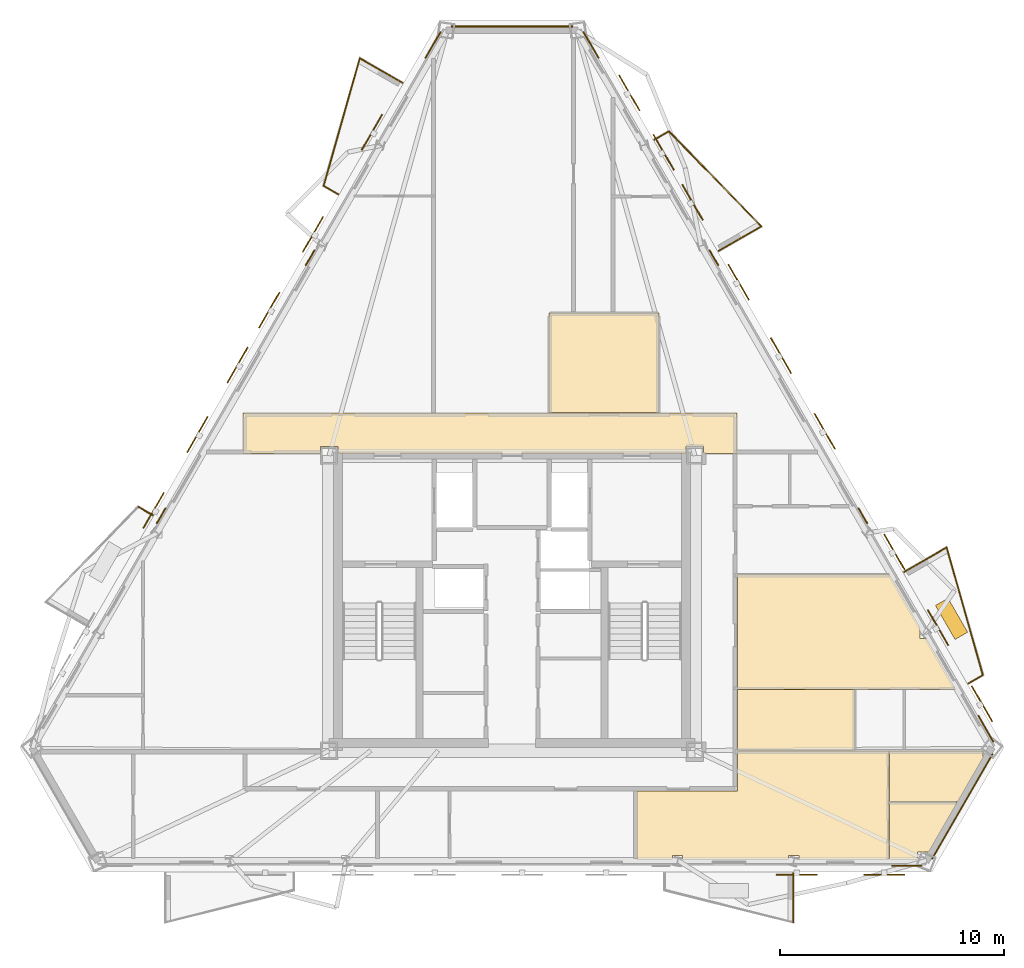
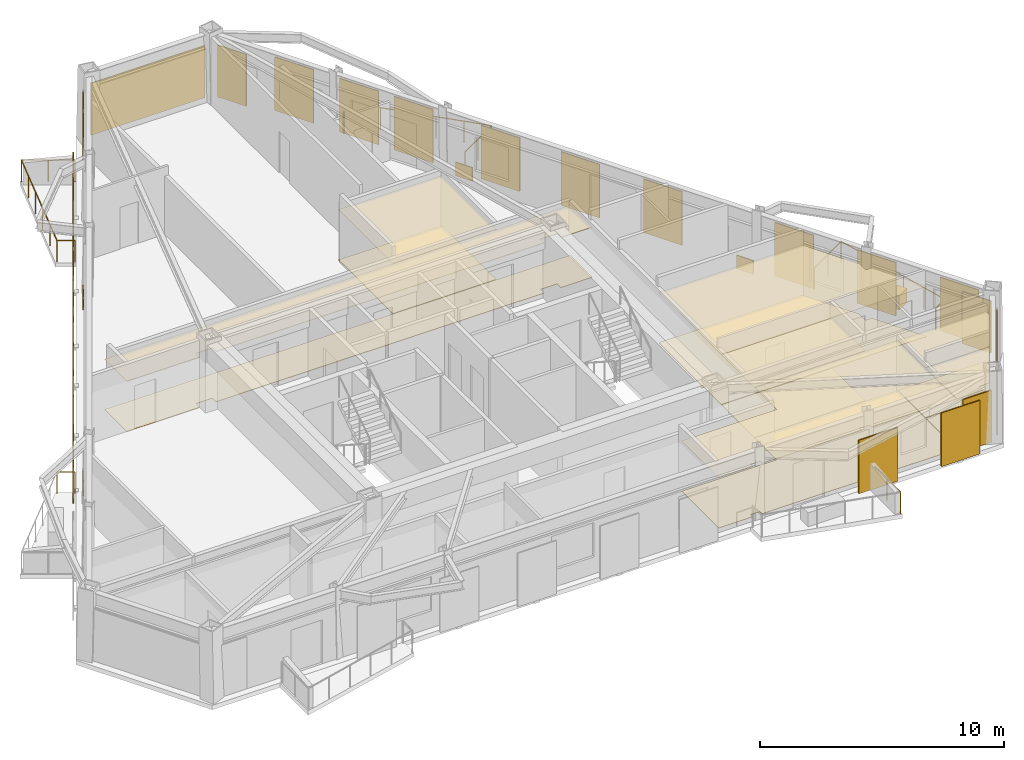
# One storey, part 9 of 9: 25 coverings, 17 shading devices, 11 railings.
"""IFC4 building model written with IfcOpenShell, lengths in metres."""

from ifc_helpers import new_model, si_unit, direction, frame, origin, origin_2d, place, context, subcontext, project, spatial, polyline, rectangle, circle, outline, extrude, material, layer, layer_set, type_object, element, save


model = new_model("IFC4")

# Units and contexts
model_context = context("Model", 3, precision=1e-05, world=origin(), true_north=direction((0.0, 1.0)))
body_context = subcontext(model_context, "Body", "Model", "MODEL_VIEW")
ifc_project = project(units=[si_unit("LENGTHUNIT", "METRE"), si_unit("AREAUNIT", "SQUARE_METRE"), si_unit("VOLUMEUNIT", "CUBIC_METRE"), si_unit("PLANEANGLEUNIT", "RADIAN"), si_unit("MASSUNIT", "GRAM", prefix="KILO")], contexts=[model_context])

# Site, building, storey
site_placement = place(None, origin())
site = spatial("IfcSite", under=ifc_project, at=site_placement, CompositionType="ELEMENT")
building_placement = place(site_placement, origin())
building = spatial("IfcBuilding", under=site, at=building_placement, Name="Oramaril Tower", CompositionType="ELEMENT")
storey_placement = place(building_placement, frame((0.0, 0.0, 237.89990234375)))
storey = spatial("IfcBuildingStorey", under=building, at=storey_placement, Name="L63", CompositionType="ELEMENT", Elevation=237.89990234375)

# Coverings
ifc_material_1 = material(Name="Mineral Fibre Acoustic Ceiling")
ifc_layer_1 = layer(ifc_material_1, 0.02001953125)
ifc_layer_set_1 = layer_set([ifc_layer_1], Name="CVT-CEIL")
covering_type_1 = type_object("IfcCoveringType", Name="CVT-CEIL", PredefinedType="CEILING", material=ifc_layer_set_1)
covering_1_placement = place(storey_placement, frame((0.0, 0.0, 2.51220703125)))
element("IfcCovering", 1, at=covering_1_placement, inside=storey, type_object=covering_type_1, Name="L63 Acoustic Suspended Ceiling 2", PredefinedType="CEILING", context=body_context, shape_type="SweptSolid", body=[
    extrude(outline(polyline([(47.530029296875, 24.239990234375), (46.044921875, 24.239990234375), (46.044921875, 24.544921875), (45.2548828125, 24.544921875), (45.2548828125, 24.25), (29.7451171875, 24.25), (29.7451171875, 24.544921875), (28.955078125, 24.544921875), (28.955078125, 24.239990234375), (25.52001953125, 24.239990234375), (25.52001953125, 26.050048828125), (47.530029296875, 26.050048828125), (47.530029296875, 24.239990234375)])), origin(), (0.0, 0.0, 1.0), 0.019775390625),
])
covering_2_placement = place(storey_placement, frame((0.0, 0.0, 2.51220703125)))
element("IfcCovering", 2, at=covering_2_placement, inside=storey, type_object=covering_type_1, Name="L63 Acoustic Suspended Ceiling 4", PredefinedType="CEILING", context=body_context, shape_type="SweptSolid", body=[
    extrude(outline(polyline([(44.0419921875, 30.511962890625), (44.0419921875, 26.070068359375), (39.157958984375, 26.070068359375), (39.157958984375, 30.511962890625), (44.0419921875, 30.511962890625)])), origin(), (0.0, 0.0, 1.0), 0.019775390625),
])
covering_3_placement = place(storey_placement, frame((0.0, 0.0, 2.51220703125)))
element("IfcCovering", 3, at=covering_3_placement, inside=storey, type_object=covering_type_1, Name="L63 Acoustic Suspended Ceiling 9", PredefinedType="CEILING", context=body_context, shape_type="SweptSolid", body=[
    extrude(outline(polyline([(54.30224609375, 10.991943359375), (54.30224609375, 6.150146484375), (50.282958984375, 6.150146484375), (50.282958984375, 6.324951171875), (49.826416015625, 6.324951171875), (49.826416015625, 6.150146484375), (45.109619140625, 6.150146484375), (45.109619140625, 6.324951171875), (44.660400390625, 6.324951171875), (44.660400390625, 6.150146484375), (43.06201171875, 6.150146484375), (43.06201171875, 9.199951171875), (47.530029296875, 9.199951171875), (47.531982421875, 9.2001953125), (47.533935546875, 9.200439453125), (47.535888671875, 9.200927734375), (47.53759765625, 9.201416015625), (47.539306640625, 9.202392578125), (47.541015625, 9.203369140625), (47.542724609375, 9.20458984375), (47.544189453125, 9.205810546875), (47.54541015625, 9.207275390625), (47.546630859375, 9.208984375), (47.547607421875, 9.210693359375), (47.548583984375, 9.21240234375), (47.549072265625, 9.214111328125), (47.549560546875, 9.216064453125), (47.5498046875, 9.218017578125), (47.550048828125, 9.219970703125), (47.550048828125, 10.991943359375), (54.30224609375, 10.991943359375)])), origin(), (0.0, 0.0, 1.0), 0.019775390625),
])
covering_4_placement = place(storey_placement, frame((0.0, 0.0, 2.51220703125)))
element("IfcCovering", 4, at=covering_4_placement, inside=storey, type_object=covering_type_1, Name="L63 Acoustic Suspended Ceiling 10", PredefinedType="CEILING", context=body_context, shape_type="SweptSolid", body=[
    extrude(outline(polyline([(56.075439453125, 6.4755859375), (55.579833984375, 6.4755859375), (55.579833984375, 6.150146484375), (54.322265625, 6.150146484375), (54.322265625, 8.70947265625), (57.365234375, 8.70947265625), (56.075439453125, 6.4755859375)])), origin(), (0.0, 0.0, 1.0), 0.019775390625),
])
covering_5_placement = place(storey_placement, frame((0.0, 0.0, 2.51220703125)))
element("IfcCovering", 5, at=covering_5_placement, inside=storey, type_object=covering_type_1, Name="L63 Acoustic Suspended Ceiling 11", PredefinedType="CEILING", context=body_context, shape_type="SweptSolid", body=[
    extrude(outline(polyline([(58.4873046875, 10.726806640625), (58.52978515625, 10.726806640625), (57.375244140625, 8.726806640625), (57.374755859375, 8.72705078125), (57.372802734375, 8.727783203125), (57.37109375, 8.728515625), (57.369140625, 8.72900390625), (57.3671875, 8.7294921875), (57.365234375, 8.7294921875), (54.322265625, 8.7294921875), (54.322265625, 10.991943359375), (58.4873046875, 10.991943359375), (58.4873046875, 10.726806640625)])), origin(), (0.0, 0.0, 1.0), 0.019775390625),
])
covering_6_placement = place(storey_placement, frame((0.0, 0.0, 2.51220703125)))
element("IfcCovering", 6, at=covering_6_placement, inside=storey, type_object=covering_type_1, Name="L63 Acoustic Suspended Ceiling 15", PredefinedType="CEILING", context=body_context, shape_type="SweptSolid", body=[
    extrude(outline(polyline([(55.696044921875, 16.4833984375), (55.681884765625, 16.4833984375), (55.681884765625, 15.99755859375), (55.976318359375, 15.99755859375), (57.283203125, 13.73388671875), (47.550048828125, 13.73388671875), (47.550048828125, 18.842041015625), (54.334228515625, 18.842041015625), (55.696044921875, 16.4833984375)])), origin(), (0.0, 0.0, 1.0), 0.019775390625),
])
covering_7_placement = place(storey_placement, frame((0.0, 0.0, 2.51220703125)))
element("IfcCovering", 7, at=covering_7_placement, inside=storey, type_object=covering_type_1, Name="L63 Acoustic Suspended Ceiling 16", PredefinedType="CEILING", context=body_context, shape_type="SweptSolid", body=[
    extrude(outline(polyline([(52.79736328125, 11.011962890625), (47.550048828125, 11.011962890625), (47.550048828125, 11.030029296875), (47.5498046875, 11.031982421875), (47.549560546875, 11.033935546875), (47.549072265625, 11.035888671875), (47.548583984375, 11.03759765625), (47.547607421875, 11.039306640625), (47.54736328125, 11.0400390625), (47.547607421875, 11.04052734375), (47.548583984375, 11.042236328125), (47.549072265625, 11.044189453125), (47.549560546875, 11.046142578125), (47.5498046875, 11.048095703125), (47.550048828125, 11.050048828125), (47.550048828125, 13.714111328125), (52.79736328125, 13.714111328125), (52.79736328125, 11.011962890625)])), origin(), (0.0, 0.0, 1.0), 0.019775390625),
])
ifc_material_2 = material(Name="Warm Cream Limestone", Category="masonry")
ifc_layer_2 = layer(ifc_material_2, 0.050048828125)
ifc_layer_set_2 = layer_set([ifc_layer_2], Name="CVT-CLD")
covering_type_2 = type_object("IfcCoveringType", Name="CVT-CLD", PredefinedType="CLADDING", material=ifc_layer_set_2)
covering_8_placement = place(storey_placement, frame((55.099853515625, 5.874267578125, 0.0400390625), z_axis=(0.0, 0.0, 1.0), x_axis=(1.0, 0.0, 0.0)))
element("IfcCovering", 8, at=covering_8_placement, inside=storey, type_object=covering_type_2, Name="L63 Warm Cream Limestone Cladding", PredefinedType="CLADDING", context=body_context, shape_type="SweptSolid", body=[
    extrude(rectangle(XDim=1.35009765625, YDim=0.050048828125, at=origin_2d()), origin(), (0.0, 0.0, 1.0), 2.596923828125),
])
covering_9_placement = place(storey_placement, frame((57.570068359375, 8.512451171875, 0.0400390625), z_axis=(0.0, 0.0, 1.0), x_axis=(0.500006045986, 0.866021913105, 0.0)))
element("IfcCovering", 9, at=covering_9_placement, inside=storey, type_object=covering_type_2, Name="L63 Warm Cream Limestone Cladding", PredefinedType="CLADDING", context=body_context, shape_type="SweptSolid", body=[
    extrude(rectangle(XDim=5.39892578125, YDim=0.050048828125, at=origin_2d()), origin(), (0.0, 0.0, 1.0), 2.596923828125),
])
for number, where, z_axis, x_axis, name in (
    (10, (58.619873046875, 11.970947265625, 0.0400390625), (0.0, 0.0, 1.0), (-0.500001511499, 0.866024531118, 0.0), "L63 Warm Cream Limestone Cladding"),
    (11, (41.02001953125, 42.454833984375, 0.0400390625), (0.0, 0.0, 1.0), (-0.500001511499, 0.866024531118, 0.0), "L63 Warm Cream Limestone Cladding"),
):
    element("IfcCovering", number, at=place(storey_placement, frame(where, z_axis=z_axis, x_axis=x_axis)), inside=storey, type_object=covering_type_2, Name=name, PredefinedType="CLADDING", context=body_context, shape_type="SweptSolid", body=[
        extrude(rectangle(XDim=1.35009765625, YDim=0.050048828125, at=origin_2d()), origin(), (0.0, 0.0, 1.0), 2.596923828125),
    ])
for number, where, z_axis, x_axis, name in (
    (12, (53.140869140625, 21.460693359375, 0.0400390625), (0.0, 0.0, 1.0), (-0.500001511499, 0.866024531118, 0.0), "L63 Warm Cream Limestone Spandrel Cladding"),
    (13, (46.498779296875, 32.965087890625, 0.0400390625), (0.0, 0.0, 1.0), (-0.500001511499, 0.866024531118, 0.0), "L63 Warm Cream Limestone Spandrel Cladding"),
):
    element("IfcCovering", number, at=place(storey_placement, frame(where, z_axis=z_axis, x_axis=x_axis)), inside=storey, type_object=covering_type_2, Name=name, PredefinedType="CLADDING", context=body_context, shape_type="SweptSolid", body=[
        extrude(rectangle(XDim=0.800048828125, YDim=0.050048828125, at=origin_2d()), origin(), (0.0, 0.0, 1.0), 0.679931640625),
    ])
covering_10_placement = place(storey_placement, frame((37.5, 43.27490234375, 0.0400390625), z_axis=(0.0, 0.0, 1.0), x_axis=(-1.0, 0.0, 0.0)))
element("IfcCovering", 14, at=covering_10_placement, inside=storey, type_object=covering_type_2, Name="L63 Warm Cream Limestone Cladding", PredefinedType="CLADDING", context=body_context, shape_type="SweptSolid", body=[
    extrude(rectangle(XDim=5.398681640625, YDim=0.050048828125, at=origin_2d()), origin(), (0.0, 0.0, 1.0), 2.596923828125),
])
covering_11_placement = place(storey_placement, frame((33.97998046875, 42.454833984375, 0.0400390625), z_axis=(0.0, 0.0, 1.0), x_axis=(-0.500001511499, -0.866024531118, 0.0)))
element("IfcCovering", 15, at=covering_11_placement, inside=storey, type_object=covering_type_2, Name="L63 Warm Cream Limestone Cladding", PredefinedType="CLADDING", context=body_context, shape_type="SweptSolid", body=[
    extrude(rectangle(XDim=1.35009765625, YDim=0.050048828125, at=origin_2d()), origin(), (0.0, 0.0, 1.0), 2.596923828125),
])
for number, where, z_axis, x_axis, name in (
    (16, (28.501220703125, 32.965087890625, 0.0400390625), (0.0, 0.0, 1.0), (-0.500001511499, -0.866024531118, 0.0), "L63 Warm Cream Limestone Spandrel Cladding"),
    (17, (21.859130859375, 21.460693359375, 0.0400390625), (0.0, 0.0, 1.0), (-0.500001511499, -0.866024531118, 0.0), "L63 Warm Cream Limestone Spandrel Cladding"),
):
    element("IfcCovering", number, at=place(storey_placement, frame(where, z_axis=z_axis, x_axis=x_axis)), inside=storey, type_object=covering_type_2, Name=name, PredefinedType="CLADDING", context=body_context, shape_type="SweptSolid", body=[
        extrude(rectangle(XDim=0.800048828125, YDim=0.050048828125, at=origin_2d()), origin(), (0.0, 0.0, 1.0), 0.679931640625),
    ])
covering_12_placement = place(storey_placement, frame((57.092529296875, 16.87353515625, 0.0), z_axis=(0.0, 0.0, 1.0), x_axis=(-0.500001511499, 0.866024531118, 0.0)))
element("IfcCovering", 18, at=covering_12_placement, inside=storey, type_object=covering_type_2, Name="L63 Structural Tree Planter Box L63-BAL-NE1", PredefinedType="CLADDING", context=body_context, shape_type="SweptSolid", body=[
    extrude(rectangle(XDim=1.75, YDim=0.64990234375, at=origin_2d()), origin(), (0.0, 0.0, 1.0), 0.699951171875),
])
ifc_material_3 = material(Name="Honed Quartzite Stone Flooring", Category="masonry")
ifc_layer_3 = layer(ifc_material_3, 0.02490234375)
ifc_layer_set_3 = layer_set([ifc_layer_3], Name="CVT-FLR")
covering_type_3 = type_object("IfcCoveringType", Name="CVT-FLR", PredefinedType="FLOORING", material=ifc_layer_set_3)
covering_13_placement = place(storey_placement, origin())
element("IfcCovering", 19, at=covering_13_placement, inside=storey, type_object=covering_type_3, Name="L63 Honed Stone Floor Finish 2", PredefinedType="FLOORING", context=body_context, shape_type="SweptSolid", body=[
    extrude(outline(polyline([(47.530029296875, 24.239990234375), (46.044921875, 24.239990234375), (46.044921875, 24.544921875), (45.2548828125, 24.544921875), (45.2548828125, 24.25), (29.7451171875, 24.25), (29.7451171875, 24.544921875), (28.955078125, 24.544921875), (28.955078125, 24.239990234375), (25.52001953125, 24.239990234375), (25.52001953125, 26.050048828125), (47.530029296875, 26.050048828125), (47.530029296875, 24.239990234375)])), origin(), (0.0, 0.0, 1.0), 0.025146484375),
])
covering_14_placement = place(storey_placement, origin())
element("IfcCovering", 20, at=covering_14_placement, inside=storey, type_object=covering_type_3, Name="L63 Honed Stone Floor Finish 4", PredefinedType="FLOORING", context=body_context, shape_type="SweptSolid", body=[
    extrude(outline(polyline([(44.0419921875, 30.511962890625), (44.0419921875, 26.070068359375), (39.157958984375, 26.070068359375), (39.157958984375, 30.511962890625), (44.0419921875, 30.511962890625)])), origin(), (0.0, 0.0, 1.0), 0.025146484375),
])
covering_15_placement = place(storey_placement, origin())
element("IfcCovering", 21, at=covering_15_placement, inside=storey, type_object=covering_type_3, Name="L63 Honed Stone Floor Finish 9", PredefinedType="FLOORING", context=body_context, shape_type="SweptSolid", body=[
    extrude(outline(polyline([(54.30224609375, 10.991943359375), (54.30224609375, 6.150146484375), (50.282958984375, 6.150146484375), (50.282958984375, 6.324951171875), (49.826416015625, 6.324951171875), (49.826416015625, 6.150146484375), (45.109619140625, 6.150146484375), (45.109619140625, 6.324951171875), (44.660400390625, 6.324951171875), (44.660400390625, 6.150146484375), (43.06201171875, 6.150146484375), (43.06201171875, 9.199951171875), (47.530029296875, 9.199951171875), (47.531982421875, 9.2001953125), (47.533935546875, 9.200439453125), (47.535888671875, 9.200927734375), (47.53759765625, 9.201416015625), (47.539306640625, 9.202392578125), (47.541015625, 9.203369140625), (47.542724609375, 9.20458984375), (47.544189453125, 9.205810546875), (47.54541015625, 9.207275390625), (47.546630859375, 9.208984375), (47.547607421875, 9.210693359375), (47.548583984375, 9.21240234375), (47.549072265625, 9.214111328125), (47.549560546875, 9.216064453125), (47.5498046875, 9.218017578125), (47.550048828125, 9.219970703125), (47.550048828125, 10.991943359375), (54.30224609375, 10.991943359375)])), origin(), (0.0, 0.0, 1.0), 0.025146484375),
])
covering_16_placement = place(storey_placement, origin())
element("IfcCovering", 22, at=covering_16_placement, inside=storey, type_object=covering_type_3, Name="L63 Honed Stone Floor Finish 10", PredefinedType="FLOORING", context=body_context, shape_type="SweptSolid", body=[
    extrude(outline(polyline([(56.075439453125, 6.4755859375), (55.579833984375, 6.4755859375), (55.579833984375, 6.150146484375), (54.322265625, 6.150146484375), (54.322265625, 8.70947265625), (57.365234375, 8.70947265625), (56.075439453125, 6.4755859375)])), origin(), (0.0, 0.0, 1.0), 0.025146484375),
])
covering_17_placement = place(storey_placement, origin())
element("IfcCovering", 23, at=covering_17_placement, inside=storey, type_object=covering_type_3, Name="L63 Honed Stone Floor Finish 11", PredefinedType="FLOORING", context=body_context, shape_type="SweptSolid", body=[
    extrude(outline(polyline([(58.4873046875, 10.726806640625), (58.52978515625, 10.726806640625), (57.375244140625, 8.726806640625), (57.374755859375, 8.72705078125), (57.372802734375, 8.727783203125), (57.37109375, 8.728515625), (57.369140625, 8.72900390625), (57.3671875, 8.7294921875), (57.365234375, 8.7294921875), (54.322265625, 8.7294921875), (54.322265625, 10.991943359375), (58.4873046875, 10.991943359375), (58.4873046875, 10.726806640625)])), origin(), (0.0, 0.0, 1.0), 0.025146484375),
])
covering_18_placement = place(storey_placement, origin())
element("IfcCovering", 24, at=covering_18_placement, inside=storey, type_object=covering_type_3, Name="L63 Honed Stone Floor Finish 15", PredefinedType="FLOORING", context=body_context, shape_type="SweptSolid", body=[
    extrude(outline(polyline([(55.696044921875, 16.4833984375), (55.681884765625, 16.4833984375), (55.681884765625, 15.99755859375), (55.976318359375, 15.99755859375), (57.283203125, 13.73388671875), (47.550048828125, 13.73388671875), (47.550048828125, 18.842041015625), (54.334228515625, 18.842041015625), (55.696044921875, 16.4833984375)])), origin(), (0.0, 0.0, 1.0), 0.025146484375),
])
covering_19_placement = place(storey_placement, origin())
element("IfcCovering", 25, at=covering_19_placement, inside=storey, type_object=covering_type_3, Name="L63 Honed Stone Floor Finish 16", PredefinedType="FLOORING", context=body_context, shape_type="SweptSolid", body=[
    extrude(outline(polyline([(52.79736328125, 11.011962890625), (47.550048828125, 11.011962890625), (47.550048828125, 11.030029296875), (47.5498046875, 11.031982421875), (47.549560546875, 11.033935546875), (47.549072265625, 11.035888671875), (47.548583984375, 11.03759765625), (47.547607421875, 11.039306640625), (47.54736328125, 11.0400390625), (47.547607421875, 11.04052734375), (47.548583984375, 11.042236328125), (47.549072265625, 11.044189453125), (47.549560546875, 11.046142578125), (47.5498046875, 11.048095703125), (47.550048828125, 11.050048828125), (47.550048828125, 13.714111328125), (52.79736328125, 13.714111328125), (52.79736328125, 11.011962890625)])), origin(), (0.0, 0.0, 1.0), 0.025146484375),
])

# Railings
ifc_material_4 = material(Name="Stainless Steel 316L", Category="steel")
railing_type = type_object("IfcRailingType", Name="RLT-GRD", PredefinedType="GUARDRAIL", material=ifc_material_4)
railing_1_placement = place(storey_placement, frame((50.030517578125, 5.5341796875, 0.0)))
element("IfcRailing", 26, at=railing_1_placement, inside=storey, type_object=railing_type, Name="L63 Balcony Guardrail L63-BAL-S2.1", PredefinedType="GUARDRAIL", context=body_context, shape_type="SweptSolid", body=[
    extrude(circle(Radius=0.02392578125, at=origin_2d()), frame((0.0, 0.0, 1.076171875), z_axis=(0.0, -1.0, 0.0), x_axis=(1.0, 0.0, 0.0)), (0.0, 0.0, 1.0), 2.19189453125),
    extrude(circle(Radius=0.02099609375, at=origin_2d()), origin(), (0.0, 0.0, 1.0), 1.052001953125),
    extrude(circle(Radius=0.02099609375, at=origin_2d()), frame((0.0, -1.095947265625, 0.0)), (0.0, 0.0, 1.0), 1.052001953125),
    extrude(circle(Radius=0.02099609375, at=origin_2d()), frame((0.0, -2.19189453125, 0.0)), (0.0, 0.0, 1.0), 1.052001953125),
])
railing_2_placement = place(storey_placement, frame((54.977294921875, 18.960205078125, 0.0)))
element("IfcRailing", 27, at=railing_2_placement, inside=storey, type_object=railing_type, Name="L63 Balcony Guardrail L63-BAL-NE1.1", PredefinedType="GUARDRAIL", context=body_context, shape_type="SweptSolid", body=[
    extrude(circle(Radius=0.02392578125, at=origin_2d()), frame((0.0, 0.0, 1.076171875), z_axis=(0.865972267571, 0.50009202333, 0.0), x_axis=(-0.50009202333, 0.865972267571, 0.0)), (0.0, 0.0, 1.0), 2.19189453125),
    extrude(circle(Radius=0.02099609375, at=origin_2d()), origin(), (0.0, 0.0, 1.0), 1.052001953125),
    extrude(circle(Radius=0.02099609375, at=origin_2d()), frame((0.94921875, 0.548095703125, 0.0)), (0.0, 0.0, 1.0), 1.052001953125),
    extrude(circle(Radius=0.02099609375, at=origin_2d()), frame((1.898193359375, 1.09619140625, 0.0)), (0.0, 0.0, 1.0), 1.052001953125),
])
railing_3_placement = place(storey_placement, frame((56.87548828125, 20.056396484375, 0.0)))
element("IfcRailing", 28, at=railing_3_placement, inside=storey, type_object=railing_type, Name="L63 Balcony Guardrail L63-BAL-NE1.2", PredefinedType="GUARDRAIL", context=body_context, shape_type="SweptSolid", body=[
    extrude(circle(Radius=0.02392578125, at=origin_2d()), frame((0.0, 0.0, 1.076171875), z_axis=(0.27224886544, -0.962226873074, 0.0), x_axis=(0.962226873074, 0.27224886544, 0.0)), (0.0, 0.0, 1.0), 5.910400390625),
    extrude(circle(Radius=0.02099609375, at=origin_2d()), origin(), (0.0, 0.0, 1.0), 1.052001953125),
    extrude(circle(Radius=0.02099609375, at=origin_2d()), frame((0.32177734375, -1.137451171875, 0.0)), (0.0, 0.0, 1.0), 1.052001953125),
    extrude(circle(Radius=0.02099609375, at=origin_2d()), frame((0.6435546875, -2.27490234375, 0.0)), (0.0, 0.0, 1.0), 1.052001953125),
    extrude(circle(Radius=0.02099609375, at=origin_2d()), frame((0.965576171875, -3.412353515625, 0.0)), (0.0, 0.0, 1.0), 1.052001953125),
    extrude(circle(Radius=0.02099609375, at=origin_2d()), frame((1.287353515625, -4.5498046875, 0.0)), (0.0, 0.0, 1.0), 1.052001953125),
    extrude(circle(Radius=0.02099609375, at=origin_2d()), frame((1.609130859375, -5.687255859375, 0.0)), (0.0, 0.0, 1.0), 1.052001953125),
])
railing_4_placement = place(storey_placement, frame((58.484619140625, 14.369140625, 0.0)))
element("IfcRailing", 29, at=railing_4_placement, inside=storey, type_object=railing_type, Name="L63 Balcony Guardrail L63-BAL-NE1.3", PredefinedType="GUARDRAIL", context=body_context, shape_type="SweptSolid", body=[
    extrude(circle(Radius=0.02392578125, at=origin_2d()), frame((0.0, 0.0, 1.076171875), z_axis=(-0.865884080729, -0.500244698863, 0.0), x_axis=(0.500244698863, -0.865884080729, 0.0)), (0.0, 0.0, 1.0), 0.741943359375),
    extrude(circle(Radius=0.02099609375, at=origin_2d()), origin(), (0.0, 0.0, 1.0), 1.052001953125),
    extrude(circle(Radius=0.02099609375, at=origin_2d()), frame((-0.642333984375, -0.37109375, 0.0)), (0.0, 0.0, 1.0), 1.052001953125),
])
railing_5_placement = place(storey_placement, frame((43.84912109375, 38.234619140625, 0.0)))
element("IfcRailing", 30, at=railing_5_placement, inside=storey, type_object=railing_type, Name="L63 Balcony Guardrail L63-BAL-NE2.1", PredefinedType="GUARDRAIL", context=body_context, shape_type="SweptSolid", body=[
    extrude(circle(Radius=0.02392578125, at=origin_2d()), frame((0.0, 0.0, 1.076171875), z_axis=(0.865966403178, 0.500102178127, 0.0), x_axis=(-0.500102178127, 0.865966403178, 0.0)), (0.0, 0.0, 1.0), 0.741943359375),
    extrude(circle(Radius=0.02099609375, at=origin_2d()), origin(), (0.0, 0.0, 1.0), 1.052001953125),
    extrude(circle(Radius=0.02099609375, at=origin_2d()), frame((0.642578125, 0.37109375, 0.0)), (0.0, 0.0, 1.0), 1.052001953125),
])
railing_6_placement = place(storey_placement, frame((44.49169921875, 38.605712890625, 0.0)))
element("IfcRailing", 31, at=railing_6_placement, inside=storey, type_object=railing_type, Name="L63 Balcony Guardrail L63-BAL-NE2.2", PredefinedType="GUARDRAIL", context=body_context, shape_type="SweptSolid", body=[
    extrude(circle(Radius=0.02392578125, at=origin_2d()), frame((0.0, 0.0, 1.076171875), z_axis=(0.697165686546, -0.716910040034, 0.0), x_axis=(0.716910040034, 0.697165686546, 0.0)), (0.0, 0.0, 1.0), 5.910400390625),
    extrude(circle(Radius=0.02099609375, at=origin_2d()), origin(), (0.0, 0.0, 1.0), 1.052001953125),
    extrude(circle(Radius=0.02099609375, at=origin_2d()), frame((0.82421875, -0.847412109375, 0.0)), (0.0, 0.0, 1.0), 1.052001953125),
    extrude(circle(Radius=0.02099609375, at=origin_2d()), frame((1.648193359375, -1.69482421875, 0.0)), (0.0, 0.0, 1.0), 1.052001953125),
    extrude(circle(Radius=0.02099609375, at=origin_2d()), frame((2.472412109375, -2.54248046875, 0.0)), (0.0, 0.0, 1.0), 1.052001953125),
    extrude(circle(Radius=0.02099609375, at=origin_2d()), frame((3.29638671875, -3.389892578125, 0.0)), (0.0, 0.0, 1.0), 1.052001953125),
    extrude(circle(Radius=0.02099609375, at=origin_2d()), frame((4.12060546875, -4.2373046875, 0.0)), (0.0, 0.0, 1.0), 1.052001953125),
])
railing_7_placement = place(storey_placement, frame((48.6123046875, 34.368408203125, 0.0)))
element("IfcRailing", 32, at=railing_7_placement, inside=storey, type_object=railing_type, Name="L63 Balcony Guardrail L63-BAL-NE2.3", PredefinedType="GUARDRAIL", context=body_context, shape_type="SweptSolid", body=[
    extrude(circle(Radius=0.02392578125, at=origin_2d()), frame((0.0, 0.0, 1.076171875), z_axis=(-0.866020500697, -0.5000084923, 0.0), x_axis=(0.5000084923, -0.866020500697, 0.0)), (0.0, 0.0, 1.0), 2.19189453125),
    extrude(circle(Radius=0.02099609375, at=origin_2d()), origin(), (0.0, 0.0, 1.0), 1.052001953125),
    extrude(circle(Radius=0.02099609375, at=origin_2d()), frame((-0.94921875, -0.5478515625, 0.0)), (0.0, 0.0, 1.0), 1.052001953125),
    extrude(circle(Radius=0.02099609375, at=origin_2d()), frame((-1.898193359375, -1.095947265625, 0.0)), (0.0, 0.0, 1.0), 1.052001953125),
])
railing_8_placement = place(storey_placement, frame((29.748291015625, 35.805419921875, 0.0)))
element("IfcRailing", 33, at=railing_8_placement, inside=storey, type_object=railing_type, Name="L63 Balcony Guardrail L63-BAL-NW1.1", PredefinedType="GUARDRAIL", context=body_context, shape_type="SweptSolid", body=[
    extrude(circle(Radius=0.02392578125, at=origin_2d()), frame((0.0, 0.0, 1.076171875), z_axis=(-0.865884080729, 0.500244698863, 0.0), x_axis=(-0.500244698863, -0.865884080729, 0.0)), (0.0, 0.0, 1.0), 0.741943359375),
    extrude(circle(Radius=0.02099609375, at=origin_2d()), origin(), (0.0, 0.0, 1.0), 1.052001953125),
    extrude(circle(Radius=0.02099609375, at=origin_2d()), frame((-0.642333984375, 0.37109375, 0.0)), (0.0, 0.0, 1.0), 1.052001953125),
])
railing_9_placement = place(storey_placement, frame((29.10595703125, 36.176513671875, 0.0)))
element("IfcRailing", 34, at=railing_9_placement, inside=storey, type_object=railing_type, Name="L63 Balcony Guardrail L63-BAL-NW1.2", PredefinedType="GUARDRAIL", context=body_context, shape_type="SweptSolid", body=[
    extrude(circle(Radius=0.02392578125, at=origin_2d()), frame((0.0, 0.0, 1.076171875), z_axis=(0.27224886544, 0.962226873074, 0.0), x_axis=(-0.962226873074, 0.27224886544, 0.0)), (0.0, 0.0, 1.0), 5.910400390625),
    extrude(circle(Radius=0.02099609375, at=origin_2d()), origin(), (0.0, 0.0, 1.0), 1.052001953125),
    extrude(circle(Radius=0.02099609375, at=origin_2d()), frame((0.32177734375, 1.137451171875, 0.0)), (0.0, 0.0, 1.0), 1.052001953125),
    extrude(circle(Radius=0.02099609375, at=origin_2d()), frame((0.6435546875, 2.27490234375, 0.0)), (0.0, 0.0, 1.0), 1.052001953125),
    extrude(circle(Radius=0.02099609375, at=origin_2d()), frame((0.965576171875, 3.412353515625, 0.0)), (0.0, 0.0, 1.0), 1.052001953125),
    extrude(circle(Radius=0.02099609375, at=origin_2d()), frame((1.287353515625, 4.5498046875, 0.0)), (0.0, 0.0, 1.0), 1.052001953125),
    extrude(circle(Radius=0.02099609375, at=origin_2d()), frame((1.609130859375, 5.687255859375, 0.0)), (0.0, 0.0, 1.0), 1.052001953125),
])
railing_10_placement = place(storey_placement, frame((30.715087890625, 41.86376953125, 0.0)))
element("IfcRailing", 35, at=railing_10_placement, inside=storey, type_object=railing_type, Name="L63 Balcony Guardrail L63-BAL-NW1.3", PredefinedType="GUARDRAIL", context=body_context, shape_type="SweptSolid", body=[
    extrude(circle(Radius=0.02392578125, at=origin_2d()), frame((0.0, 0.0, 1.076171875), z_axis=(0.865972267571, -0.50009202333, 0.0), x_axis=(0.50009202333, 0.865972267571, 0.0)), (0.0, 0.0, 1.0), 2.19189453125),
    extrude(circle(Radius=0.02099609375, at=origin_2d()), origin(), (0.0, 0.0, 1.0), 1.052001953125),
    extrude(circle(Radius=0.02099609375, at=origin_2d()), frame((0.94921875, -0.548095703125, 0.0)), (0.0, 0.0, 1.0), 1.052001953125),
    extrude(circle(Radius=0.02099609375, at=origin_2d()), frame((1.898193359375, -1.09619140625, 0.0)), (0.0, 0.0, 1.0), 1.052001953125),
])
railing_11_placement = place(storey_placement, frame((20.8427734375, 21.864501953125, 0.0)))
element("IfcRailing", 36, at=railing_11_placement, inside=storey, type_object=railing_type, Name="L63 Balcony Guardrail L63-BAL-NW2.3", PredefinedType="GUARDRAIL", context=body_context, shape_type="SweptSolid", body=[
    extrude(circle(Radius=0.02392578125, at=origin_2d()), frame((0.0, 0.0, 1.076171875), z_axis=(0.865966403178, -0.500102178127, 0.0), x_axis=(0.500102178127, 0.865966403178, 0.0)), (0.0, 0.0, 1.0), 0.741943359375),
    extrude(circle(Radius=0.02099609375, at=origin_2d()), origin(), (0.0, 0.0, 1.0), 1.052001953125),
    extrude(circle(Radius=0.02099609375, at=origin_2d()), frame((0.642578125, -0.37109375, 0.0)), (0.0, 0.0, 1.0), 1.052001953125),
])

# Shading devices
for number, where, z_axis, x_axis, name in (
    (37, (50.18701171875, 5.462158203125, -0.02001953125), (0.0, 0.0, 1.0), (1.0, 0.0, 0.0), "L63 Perforated Ceramic Solar Screen"),
    (38, (54.0869140625, 5.462158203125, -0.02001953125), (0.0, 0.0, 1.0), (1.0, 0.0, 0.0), "L63 Perforated Ceramic Solar Screen"),
    (39, (56.49169921875, 16.48095703125, -0.02001953125), (0.0, 0.0, 1.0), (-0.500001511499, 0.866024531118, 0.0), "L63 Perforated Ceramic Solar Screen"),
    (40, (54.541748046875, 19.8583984375, -0.02001953125), (0.0, 0.0, 1.0), (-0.500001511499, 0.866024531118, 0.0), "L63 Perforated Ceramic Solar Screen"),
    (41, (58.44873046875, 13.09130859375, -0.02001953125), (0.0, 0.0, 1.0), (-0.500001511499, 0.866024531118, 0.0), "L63 Perforated Ceramic Solar Screen"),
    (42, (42.72802734375, 40.3203125, -0.02001953125), (0.0, 0.0, 1.0), (-0.500001511499, 0.866024531118, 0.0), "L63 Perforated Ceramic Solar Screen"),
    (43, (51.439697265625, 25.2314453125, -0.02001953125), (0.0, 0.0, 1.0), (-0.500001511499, 0.866024531118, 0.0), "L63 Perforated Ceramic Solar Screen"),
    (44, (49.489501953125, 28.60888671875, -0.02001953125), (0.0, 0.0, 1.0), (-0.500001511499, 0.866024531118, 0.0), "L63 Perforated Ceramic Solar Screen"),
    (45, (47.602294921875, 31.8779296875, -0.02001953125), (0.0, 0.0, 1.0), (-0.500001511499, 0.866024531118, 0.0), "L63 Perforated Ceramic Solar Screen"),
    (46, (45.547119140625, 35.4375, -0.02001953125), (0.0, 0.0, 1.0), (-0.500001511499, 0.866024531118, 0.0), "L63 Perforated Ceramic Solar Screen"),
    (47, (44.25927734375, 37.668212890625, -0.02001953125), (0.0, 0.0, 1.0), (-0.500001511499, 0.866024531118, 0.0), "L63 Perforated Ceramic Solar Screen"),
    (48, (23.479736328125, 25.091796875, -0.02001953125), (0.0, 0.0, 1.0), (-0.500001511499, -0.866024531118, 0.0), "L63 Perforated Ceramic Solar Screen"),
    (49, (21.52978515625, 21.71435546875, -0.02001953125), (0.0, 0.0, 1.0), (-0.500001511499, -0.866024531118, 0.0), "L63 Perforated Ceramic Solar Screen"),
    (50, (28.6298828125, 34.01220703125, -0.02001953125), (0.0, 0.0, 1.0), (-0.500001511499, -0.866024531118, 0.0), "L63 Perforated Ceramic Solar Screen"),
    (51, (26.679931640625, 30.634765625, -0.02001953125), (0.0, 0.0, 1.0), (-0.500001511499, -0.866024531118, 0.0), "L63 Perforated Ceramic Solar Screen"),
    (52, (25.265625, 28.18505859375, -0.02001953125), (0.0, 0.0, 1.0), (-0.500001511499, -0.866024531118, 0.0), "L63 Perforated Ceramic Solar Screen"),
    (53, (31.25341796875, 38.55615234375, -0.02001953125), (0.0, 0.0, 1.0), (-0.500001511499, -0.866024531118, 0.0), "L63 Perforated Ceramic Solar Screen"),
):
    element("IfcShadingDevice", number, at=place(storey_placement, frame(where, z_axis=z_axis, x_axis=x_axis)), inside=storey, Name=name, ObjectType="SCREEN", PredefinedType="USERDEFINED", context=body_context, shape_type="SweptSolid", body=[
        extrude(rectangle(XDim=1.8330078125, YDim=0.050048828125, at=origin_2d()), origin(), (0.0, 0.0, 1.0), 2.677001953125),
    ])

save(model, "model.ifc")
